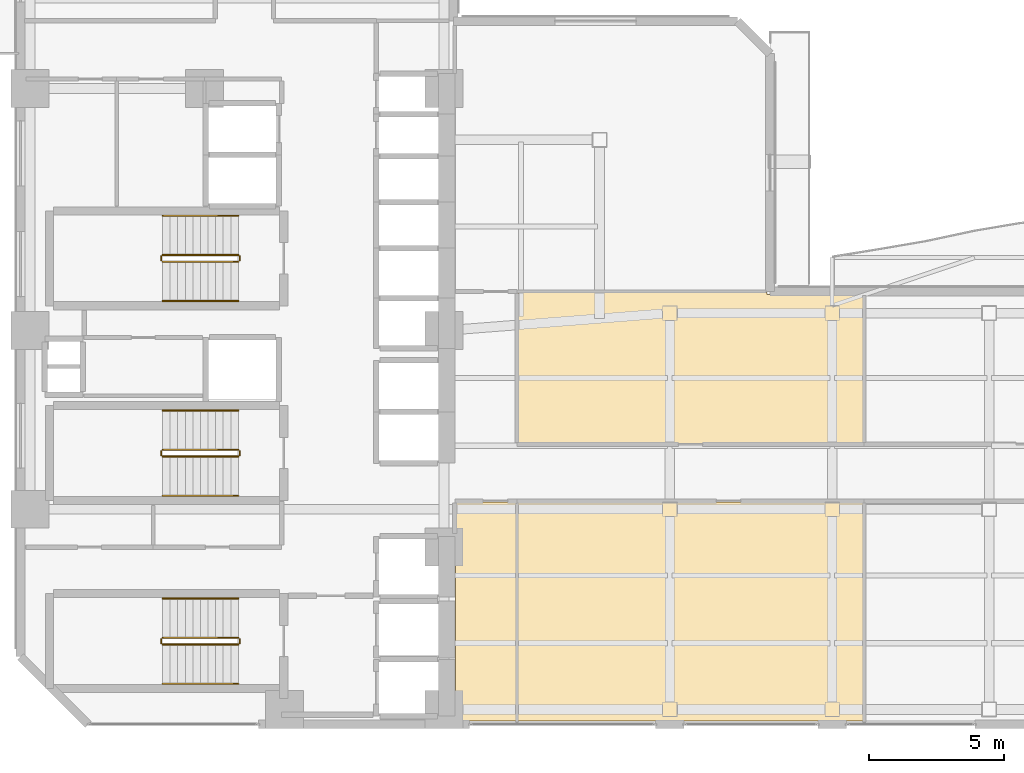
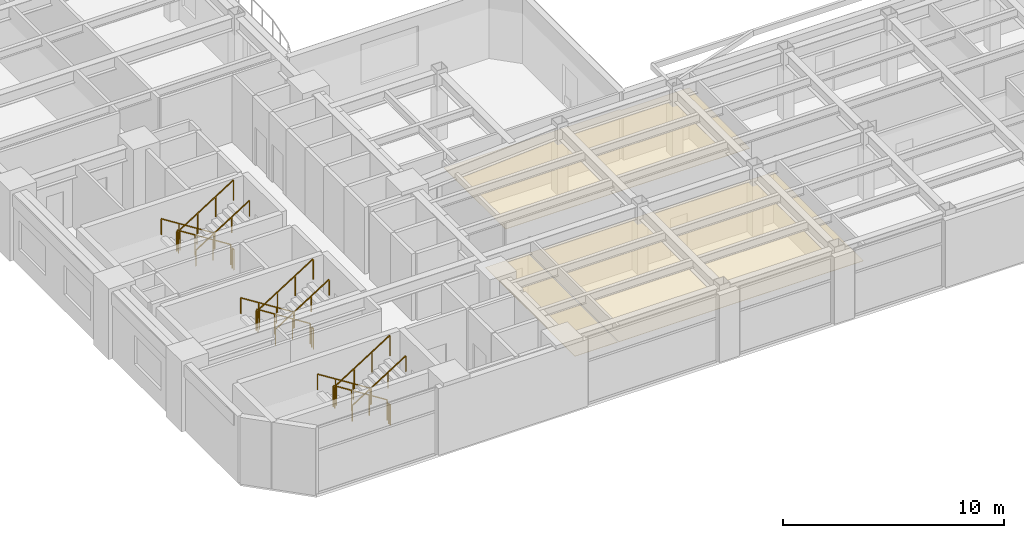
# One storey, part 14 of 17: 18 railings, 3 coverings.
"""IFC4 building model written with IfcOpenShell, lengths in metres."""

from ifc_helpers import new_model, si_unit, direction, frame, origin, origin_2d, place, context, subcontext, project, spatial, polyline, rectangle, outline, extrude, material, layer, layer_set, type_object, element, save


model = new_model("IFC4")

# Units and contexts
model_context = context("Model", 3, precision=1e-05, world=origin(), true_north=direction((0.0, 1.0)))
body_context = subcontext(model_context, "Body", "Model", "MODEL_VIEW")
ifc_project = project(units=[si_unit("LENGTHUNIT", "METRE"), si_unit("AREAUNIT", "SQUARE_METRE"), si_unit("VOLUMEUNIT", "CUBIC_METRE"), si_unit("PLANEANGLEUNIT", "RADIAN"), si_unit("MASSUNIT", "GRAM", prefix="KILO")], contexts=[model_context])

# Site, building, storey
site_placement = place(None, origin())
site = spatial("IfcSite", under=ifc_project, at=site_placement, CompositionType="ELEMENT")
building_placement = place(site_placement, origin())
building = spatial("IfcBuilding", under=site, at=building_placement, Name="Mawjaban Terraces University", CompositionType="ELEMENT")
storey_placement = place(building_placement, frame((0.0, 0.0, 70.0)))
storey = spatial("IfcBuildingStorey", under=building, at=storey_placement, Name="L16", CompositionType="ELEMENT", Elevation=70.0)

# Coverings
ifc_material_1 = material(Name="Acoustic mineral fibre ceiling tile", Category="masonry")
ifc_layer = layer(ifc_material_1, 0.02001953125)
ifc_layer_set = layer_set([ifc_layer], Name="Acoustic mineral fibre ceiling tile")
covering_type = type_object("IfcCoveringType", Name="AcousticMineralCeiling_20", PredefinedType="CEILING", material=ifc_layer_set)
covering_1_placement = place(storey_placement, frame((0.0, 0.0, 2.75)))
element("IfcCovering", 1, at=covering_1_placement, inside=storey, type_object=covering_type, Name="L16 Collaborative Study Room 1 Acoustic Ceiling", PredefinedType="CEILING", context=body_context, shape_type="SweptSolid", body=[
    extrude(outline(polyline([(38.080078125, 0.114990234375), (40.320068359375, 0.114990234375), (40.320068359375, 8.219970703125), (38.080078125, 8.219970703125), (38.080078125, 0.114990234375)])), origin(), (0.0, 0.0, 1.0), 0.02001953125),
])
covering_2_placement = place(storey_placement, frame((0.0, 0.0, 2.75)))
element("IfcCovering", 2, at=covering_2_placement, inside=storey, type_object=covering_type, Name="L16 Graduate Study Lounge 2 Acoustic Ceiling", PredefinedType="CEILING", context=body_context, shape_type="SweptSolid", body=[
    extrude(outline(polyline([(40.3798828125, 0.114990234375), (53.154052734375, 0.114990234375), (53.154052734375, 8.219970703125), (40.3798828125, 8.219970703125), (40.3798828125, 0.114990234375)])), origin(), (0.0, 0.0, 1.0), 0.02001953125),
])
covering_3_placement = place(storey_placement, frame((0.0, 0.0, 2.75)))
element("IfcCovering", 3, at=covering_3_placement, inside=storey, type_object=covering_type, Name="L16 Collaborative Study Room 3 Acoustic Ceiling", PredefinedType="CEILING", context=body_context, shape_type="SweptSolid", body=[
    extrude(outline(polyline([(53.154052734375, 15.885009765625), (49.5849609375, 15.885009765625), (49.5849609375, 15.969970703125), (40.3798828125, 15.969970703125), (40.3798828125, 10.3798828125), (53.154052734375, 10.3798828125), (53.154052734375, 15.885009765625)])), origin(), (0.0, 0.0, 1.0), 0.02001953125),
])

# Railings
ifc_material_2 = material(Name="Brushed stainless steel 316", Category="steel")
railing_type_1 = type_object("IfcRailingType", Name="StairWallHandrail_900", PredefinedType="HANDRAIL", material=ifc_material_2)
railing_1_placement = place(storey_placement, frame((30.050048828125, 4.64990234375, 0.17724609375)))
element("IfcRailing", 4, at=railing_1_placement, inside=storey, type_object=railing_type_1, Name="L16 ST-1 stair handrail 1", PredefinedType="HANDRAIL", context=body_context, shape_type="SweptSolid", body=[
    extrude(rectangle(XDim=0.048095703125, YDim=0.048095703125, at=origin_2d()), frame((0.0, 0.0, 0.8759765625), z_axis=(-0.844908973607, 0.0, 0.534910110503), x_axis=(0.0, -1.0, 0.0)), (0.0, 0.0, 1.0), 3.31396484375),
    extrude(rectangle(XDim=0.0419921875, YDim=0.0419921875, at=origin_2d()), origin(), (0.0, 0.0, 1.0), 0.851806640625),
    extrude(rectangle(XDim=0.0419921875, YDim=0.0419921875, at=origin_2d()), frame((-0.933349609375, 0.0, 0.5908203125)), (0.0, 0.0, 1.0), 0.851806640625),
    extrude(rectangle(XDim=0.0419921875, YDim=0.0419921875, at=origin_2d()), frame((-1.86669921875, 0.0, 1.181884765625)), (0.0, 0.0, 1.0), 0.851806640625),
    extrude(rectangle(XDim=0.0419921875, YDim=0.0419921875, at=origin_2d()), frame((-2.800048828125, 0.0, 1.772705078125)), (0.0, 0.0, 1.0), 0.851806640625),
])
railing_2_placement = place(storey_placement, frame((27.25, 1.5, 2.127197265625)))
element("IfcRailing", 5, at=railing_2_placement, inside=storey, type_object=railing_type_1, Name="L16 ST-1 stair handrail 2", PredefinedType="HANDRAIL", context=body_context, shape_type="SweptSolid", body=[
    extrude(rectangle(XDim=0.048095703125, YDim=0.048095703125, at=origin_2d()), frame((0.0, 0.0, 0.8759765625), z_axis=(0.844908973607, 0.0, 0.534910110503), x_axis=(0.0, 1.0, 0.0)), (0.0, 0.0, 1.0), 3.31396484375),
    extrude(rectangle(XDim=0.0419921875, YDim=0.0419921875, at=origin_2d()), origin(), (0.0, 0.0, 1.0), 0.851806640625),
    extrude(rectangle(XDim=0.0419921875, YDim=0.0419921875, at=origin_2d()), frame((0.933349609375, 0.0, 0.5908203125)), (0.0, 0.0, 1.0), 0.851806640625),
    extrude(rectangle(XDim=0.0419921875, YDim=0.0419921875, at=origin_2d()), frame((1.86669921875, 0.0, 1.181884765625)), (0.0, 0.0, 1.0), 0.851806640625),
    extrude(rectangle(XDim=0.0419921875, YDim=0.0419921875, at=origin_2d()), frame((2.800048828125, 0.0, 1.772705078125)), (0.0, 0.0, 1.0), 0.851806640625),
])
railing_3_placement = place(storey_placement, frame((30.050048828125, 18.800048828125, 0.17724609375)))
element("IfcRailing", 6, at=railing_3_placement, inside=storey, type_object=railing_type_1, Name="L16 ST-2 stair handrail 1", PredefinedType="HANDRAIL", context=body_context, shape_type="SweptSolid", body=[
    extrude(rectangle(XDim=0.048095703125, YDim=0.048095703125, at=origin_2d()), frame((0.0, 0.0, 0.8759765625), z_axis=(-0.844908973607, 0.0, 0.534910110503), x_axis=(0.0, -1.0, 0.0)), (0.0, 0.0, 1.0), 3.31396484375),
    extrude(rectangle(XDim=0.0419921875, YDim=0.0419921875, at=origin_2d()), origin(), (0.0, 0.0, 1.0), 0.851806640625),
    extrude(rectangle(XDim=0.0419921875, YDim=0.0419921875, at=origin_2d()), frame((-0.933349609375, 0.0, 0.5908203125)), (0.0, 0.0, 1.0), 0.851806640625),
    extrude(rectangle(XDim=0.0419921875, YDim=0.0419921875, at=origin_2d()), frame((-1.86669921875, 0.0, 1.181884765625)), (0.0, 0.0, 1.0), 0.851806640625),
    extrude(rectangle(XDim=0.0419921875, YDim=0.0419921875, at=origin_2d()), frame((-2.800048828125, 0.0, 1.772705078125)), (0.0, 0.0, 1.0), 0.851806640625),
])
railing_4_placement = place(storey_placement, frame((27.25, 15.64990234375, 2.127197265625)))
element("IfcRailing", 7, at=railing_4_placement, inside=storey, type_object=railing_type_1, Name="L16 ST-2 stair handrail 2", PredefinedType="HANDRAIL", context=body_context, shape_type="SweptSolid", body=[
    extrude(rectangle(XDim=0.048095703125, YDim=0.048095703125, at=origin_2d()), frame((0.0, 0.0, 0.8759765625), z_axis=(0.844908973607, 0.0, 0.534910110503), x_axis=(0.0, 1.0, 0.0)), (0.0, 0.0, 1.0), 3.31396484375),
    extrude(rectangle(XDim=0.0419921875, YDim=0.0419921875, at=origin_2d()), origin(), (0.0, 0.0, 1.0), 0.851806640625),
    extrude(rectangle(XDim=0.0419921875, YDim=0.0419921875, at=origin_2d()), frame((0.933349609375, 0.0, 0.5908203125)), (0.0, 0.0, 1.0), 0.851806640625),
    extrude(rectangle(XDim=0.0419921875, YDim=0.0419921875, at=origin_2d()), frame((1.86669921875, 0.0, 1.181884765625)), (0.0, 0.0, 1.0), 0.851806640625),
    extrude(rectangle(XDim=0.0419921875, YDim=0.0419921875, at=origin_2d()), frame((2.800048828125, 0.0, 1.772705078125)), (0.0, 0.0, 1.0), 0.851806640625),
])
railing_5_placement = place(storey_placement, frame((30.050048828125, 11.60009765625, 0.17724609375)))
element("IfcRailing", 8, at=railing_5_placement, inside=storey, type_object=railing_type_1, Name="L16 ST-3 stair handrail 1", PredefinedType="HANDRAIL", context=body_context, shape_type="SweptSolid", body=[
    extrude(rectangle(XDim=0.048095703125, YDim=0.048095703125, at=origin_2d()), frame((0.0, 0.0, 0.8759765625), z_axis=(-0.844908973607, 0.0, 0.534910110503), x_axis=(0.0, -1.0, 0.0)), (0.0, 0.0, 1.0), 3.31396484375),
    extrude(rectangle(XDim=0.0419921875, YDim=0.0419921875, at=origin_2d()), origin(), (0.0, 0.0, 1.0), 0.851806640625),
    extrude(rectangle(XDim=0.0419921875, YDim=0.0419921875, at=origin_2d()), frame((-0.933349609375, 0.0, 0.5908203125)), (0.0, 0.0, 1.0), 0.851806640625),
    extrude(rectangle(XDim=0.0419921875, YDim=0.0419921875, at=origin_2d()), frame((-1.86669921875, 0.0, 1.181884765625)), (0.0, 0.0, 1.0), 0.851806640625),
    extrude(rectangle(XDim=0.0419921875, YDim=0.0419921875, at=origin_2d()), frame((-2.800048828125, 0.0, 1.772705078125)), (0.0, 0.0, 1.0), 0.851806640625),
])
railing_6_placement = place(storey_placement, frame((27.25, 8.449951171875, 2.127197265625)))
element("IfcRailing", 9, at=railing_6_placement, inside=storey, type_object=railing_type_1, Name="L16 ST-3 stair handrail 2", PredefinedType="HANDRAIL", context=body_context, shape_type="SweptSolid", body=[
    extrude(rectangle(XDim=0.048095703125, YDim=0.048095703125, at=origin_2d()), frame((0.0, 0.0, 0.8759765625), z_axis=(0.844908973607, 0.0, 0.534910110503), x_axis=(0.0, 1.0, 0.0)), (0.0, 0.0, 1.0), 3.31396484375),
    extrude(rectangle(XDim=0.0419921875, YDim=0.0419921875, at=origin_2d()), origin(), (0.0, 0.0, 1.0), 0.851806640625),
    extrude(rectangle(XDim=0.0419921875, YDim=0.0419921875, at=origin_2d()), frame((0.933349609375, 0.0, 0.5908203125)), (0.0, 0.0, 1.0), 0.851806640625),
    extrude(rectangle(XDim=0.0419921875, YDim=0.0419921875, at=origin_2d()), frame((1.86669921875, 0.0, 1.181884765625)), (0.0, 0.0, 1.0), 0.851806640625),
    extrude(rectangle(XDim=0.0419921875, YDim=0.0419921875, at=origin_2d()), frame((2.800048828125, 0.0, 1.772705078125)), (0.0, 0.0, 1.0), 0.851806640625),
])
ifc_material_3 = material(Name="Galvanised painted steel S355", Category="steel")
railing_type_2 = type_object("IfcRailingType", Name="StairWellGuard_1150", PredefinedType="BALUSTRADE", material=ifc_material_3)
railing_7_placement = place(storey_placement, frame((30.050048828125, 3.199951171875, 0.17724609375)))
element("IfcRailing", 10, at=railing_7_placement, inside=storey, type_object=railing_type_2, Name="L16 ST-1 stair guard 1", PredefinedType="BALUSTRADE", context=body_context, shape_type="SweptSolid", body=[
    extrude(rectangle(XDim=0.048095703125, YDim=0.048095703125, at=origin_2d()), frame((0.0, 0.0, 1.1259765625), z_axis=(-0.844908973607, 0.0, 0.534910110503), x_axis=(0.0, -1.0, 0.0)), (0.0, 0.0, 1.0), 3.31396484375),
    extrude(rectangle(XDim=0.0419921875, YDim=0.0419921875, at=origin_2d()), origin(), (0.0, 0.0, 1.0), 1.101806640625),
    extrude(rectangle(XDim=0.0419921875, YDim=0.0419921875, at=origin_2d()), frame((-0.933349609375, 0.0, 0.5908203125)), (0.0, 0.0, 1.0), 1.101806640625),
    extrude(rectangle(XDim=0.0419921875, YDim=0.0419921875, at=origin_2d()), frame((-1.86669921875, 0.0, 1.181884765625)), (0.0, 0.0, 1.0), 1.101806640625),
    extrude(rectangle(XDim=0.0419921875, YDim=0.0419921875, at=origin_2d()), frame((-2.800048828125, 0.0, 1.772705078125)), (0.0, 0.0, 1.0), 1.101806640625),
])
railing_8_placement = place(storey_placement, frame((27.199951171875, 3.14990234375, 1.949951171875)))
element("IfcRailing", 11, at=railing_8_placement, inside=storey, type_object=railing_type_2, Name="L16 ST-1 stair guard 2", PredefinedType="BALUSTRADE", context=body_context, shape_type="SweptSolid", body=[
    extrude(rectangle(XDim=0.048095703125, YDim=0.048095703125, at=origin_2d()), frame((0.0, 0.0, 1.1259765625), z_axis=(0.0, -1.0, 0.0), x_axis=(1.0, 0.0, 0.0)), (0.0, 0.0, 1.0), 0.14990234375),
    extrude(rectangle(XDim=0.0419921875, YDim=0.0419921875, at=origin_2d()), origin(), (0.0, 0.0, 1.0), 1.101806640625),
    extrude(rectangle(XDim=0.0419921875, YDim=0.0419921875, at=origin_2d()), frame((0.0, -0.14990234375, 0.0)), (0.0, 0.0, 1.0), 1.101806640625),
])
railing_9_placement = place(storey_placement, frame((27.25, 2.949951171875, 2.127197265625)))
element("IfcRailing", 12, at=railing_9_placement, inside=storey, type_object=railing_type_2, Name="L16 ST-1 stair guard 3", PredefinedType="BALUSTRADE", context=body_context, shape_type="SweptSolid", body=[
    extrude(rectangle(XDim=0.048095703125, YDim=0.048095703125, at=origin_2d()), frame((0.0, 0.0, 1.1259765625), z_axis=(0.844908973607, 0.0, 0.534910110503), x_axis=(0.0, 1.0, 0.0)), (0.0, 0.0, 1.0), 3.31396484375),
    extrude(rectangle(XDim=0.0419921875, YDim=0.0419921875, at=origin_2d()), origin(), (0.0, 0.0, 1.0), 1.101806640625),
    extrude(rectangle(XDim=0.0419921875, YDim=0.0419921875, at=origin_2d()), frame((0.933349609375, 0.0, 0.5908203125)), (0.0, 0.0, 1.0), 1.101806640625),
    extrude(rectangle(XDim=0.0419921875, YDim=0.0419921875, at=origin_2d()), frame((1.86669921875, 0.0, 1.181884765625)), (0.0, 0.0, 1.0), 1.101806640625),
    extrude(rectangle(XDim=0.0419921875, YDim=0.0419921875, at=origin_2d()), frame((2.800048828125, 0.0, 1.772705078125)), (0.0, 0.0, 1.0), 1.101806640625),
])
railing_10_placement = place(storey_placement, frame((30.10009765625, 3.14990234375, 0.0)))
element("IfcRailing", 13, at=railing_10_placement, inside=storey, type_object=railing_type_2, Name="L16 ST-1 stair guard 4", PredefinedType="BALUSTRADE", context=body_context, shape_type="SweptSolid", body=[
    extrude(rectangle(XDim=0.048095703125, YDim=0.048095703125, at=origin_2d()), frame((0.0, 0.0, 1.1259765625), z_axis=(0.0, -1.0, 0.0), x_axis=(1.0, 0.0, 0.0)), (0.0, 0.0, 1.0), 0.14990234375),
    extrude(rectangle(XDim=0.0419921875, YDim=0.0419921875, at=origin_2d()), origin(), (0.0, 0.0, 1.0), 1.101806640625),
    extrude(rectangle(XDim=0.0419921875, YDim=0.0419921875, at=origin_2d()), frame((0.0, -0.14990234375, 0.0)), (0.0, 0.0, 1.0), 1.101806640625),
])
railing_11_placement = place(storey_placement, frame((30.050048828125, 17.35009765625, 0.17724609375)))
element("IfcRailing", 14, at=railing_11_placement, inside=storey, type_object=railing_type_2, Name="L16 ST-2 stair guard 1", PredefinedType="BALUSTRADE", context=body_context, shape_type="SweptSolid", body=[
    extrude(rectangle(XDim=0.048095703125, YDim=0.048095703125, at=origin_2d()), frame((0.0, 0.0, 1.1259765625), z_axis=(-0.844908973607, 0.0, 0.534910110503), x_axis=(0.0, -1.0, 0.0)), (0.0, 0.0, 1.0), 3.31396484375),
    extrude(rectangle(XDim=0.0419921875, YDim=0.0419921875, at=origin_2d()), origin(), (0.0, 0.0, 1.0), 1.101806640625),
    extrude(rectangle(XDim=0.0419921875, YDim=0.0419921875, at=origin_2d()), frame((-0.933349609375, 0.0, 0.5908203125)), (0.0, 0.0, 1.0), 1.101806640625),
    extrude(rectangle(XDim=0.0419921875, YDim=0.0419921875, at=origin_2d()), frame((-1.86669921875, 0.0, 1.181884765625)), (0.0, 0.0, 1.0), 1.101806640625),
    extrude(rectangle(XDim=0.0419921875, YDim=0.0419921875, at=origin_2d()), frame((-2.800048828125, 0.0, 1.772705078125)), (0.0, 0.0, 1.0), 1.101806640625),
])
railing_12_placement = place(storey_placement, frame((27.199951171875, 17.300048828125, 1.949951171875)))
element("IfcRailing", 15, at=railing_12_placement, inside=storey, type_object=railing_type_2, Name="L16 ST-2 stair guard 2", PredefinedType="BALUSTRADE", context=body_context, shape_type="SweptSolid", body=[
    extrude(rectangle(XDim=0.048095703125, YDim=0.048095703125, at=origin_2d()), frame((0.0, 0.0, 1.1259765625), z_axis=(0.0, -1.0, 0.0), x_axis=(1.0, 0.0, 0.0)), (0.0, 0.0, 1.0), 0.150146484375),
    extrude(rectangle(XDim=0.0419921875, YDim=0.0419921875, at=origin_2d()), origin(), (0.0, 0.0, 1.0), 1.101806640625),
    extrude(rectangle(XDim=0.0419921875, YDim=0.0419921875, at=origin_2d()), frame((0.0, -0.150146484375, 0.0)), (0.0, 0.0, 1.0), 1.101806640625),
])
railing_13_placement = place(storey_placement, frame((27.25, 17.10009765625, 2.127197265625)))
element("IfcRailing", 16, at=railing_13_placement, inside=storey, type_object=railing_type_2, Name="L16 ST-2 stair guard 3", PredefinedType="BALUSTRADE", context=body_context, shape_type="SweptSolid", body=[
    extrude(rectangle(XDim=0.048095703125, YDim=0.048095703125, at=origin_2d()), frame((0.0, 0.0, 1.1259765625), z_axis=(0.844908973607, 0.0, 0.534910110503), x_axis=(0.0, 1.0, 0.0)), (0.0, 0.0, 1.0), 3.31396484375),
    extrude(rectangle(XDim=0.0419921875, YDim=0.0419921875, at=origin_2d()), origin(), (0.0, 0.0, 1.0), 1.101806640625),
    extrude(rectangle(XDim=0.0419921875, YDim=0.0419921875, at=origin_2d()), frame((0.933349609375, 0.0, 0.5908203125)), (0.0, 0.0, 1.0), 1.101806640625),
    extrude(rectangle(XDim=0.0419921875, YDim=0.0419921875, at=origin_2d()), frame((1.86669921875, 0.0, 1.181884765625)), (0.0, 0.0, 1.0), 1.101806640625),
    extrude(rectangle(XDim=0.0419921875, YDim=0.0419921875, at=origin_2d()), frame((2.800048828125, 0.0, 1.772705078125)), (0.0, 0.0, 1.0), 1.101806640625),
])
railing_14_placement = place(storey_placement, frame((30.10009765625, 17.300048828125, 0.0)))
element("IfcRailing", 17, at=railing_14_placement, inside=storey, type_object=railing_type_2, Name="L16 ST-2 stair guard 4", PredefinedType="BALUSTRADE", context=body_context, shape_type="SweptSolid", body=[
    extrude(rectangle(XDim=0.048095703125, YDim=0.048095703125, at=origin_2d()), frame((0.0, 0.0, 1.1259765625), z_axis=(0.0, -1.0, 0.0), x_axis=(1.0, 0.0, 0.0)), (0.0, 0.0, 1.0), 0.150146484375),
    extrude(rectangle(XDim=0.0419921875, YDim=0.0419921875, at=origin_2d()), origin(), (0.0, 0.0, 1.0), 1.101806640625),
    extrude(rectangle(XDim=0.0419921875, YDim=0.0419921875, at=origin_2d()), frame((0.0, -0.150146484375, 0.0)), (0.0, 0.0, 1.0), 1.101806640625),
])
railing_15_placement = place(storey_placement, frame((30.050048828125, 10.14990234375, 0.17724609375)))
element("IfcRailing", 18, at=railing_15_placement, inside=storey, type_object=railing_type_2, Name="L16 ST-3 stair guard 1", PredefinedType="BALUSTRADE", context=body_context, shape_type="SweptSolid", body=[
    extrude(rectangle(XDim=0.048095703125, YDim=0.048095703125, at=origin_2d()), frame((0.0, 0.0, 1.1259765625), z_axis=(-0.844908973607, 0.0, 0.534910110503), x_axis=(0.0, -1.0, 0.0)), (0.0, 0.0, 1.0), 3.31396484375),
    extrude(rectangle(XDim=0.0419921875, YDim=0.0419921875, at=origin_2d()), origin(), (0.0, 0.0, 1.0), 1.101806640625),
    extrude(rectangle(XDim=0.0419921875, YDim=0.0419921875, at=origin_2d()), frame((-0.933349609375, 0.0, 0.5908203125)), (0.0, 0.0, 1.0), 1.101806640625),
    extrude(rectangle(XDim=0.0419921875, YDim=0.0419921875, at=origin_2d()), frame((-1.86669921875, 0.0, 1.181884765625)), (0.0, 0.0, 1.0), 1.101806640625),
    extrude(rectangle(XDim=0.0419921875, YDim=0.0419921875, at=origin_2d()), frame((-2.800048828125, 0.0, 1.772705078125)), (0.0, 0.0, 1.0), 1.101806640625),
])
railing_16_placement = place(storey_placement, frame((27.199951171875, 10.10009765625, 1.949951171875)))
element("IfcRailing", 19, at=railing_16_placement, inside=storey, type_object=railing_type_2, Name="L16 ST-3 stair guard 2", PredefinedType="BALUSTRADE", context=body_context, shape_type="SweptSolid", body=[
    extrude(rectangle(XDim=0.048095703125, YDim=0.048095703125, at=origin_2d()), frame((0.0, 0.0, 1.1259765625), z_axis=(0.0, -1.0, 0.0), x_axis=(1.0, 0.0, 0.0)), (0.0, 0.0, 1.0), 0.150146484375),
    extrude(rectangle(XDim=0.0419921875, YDim=0.0419921875, at=origin_2d()), origin(), (0.0, 0.0, 1.0), 1.101806640625),
    extrude(rectangle(XDim=0.0419921875, YDim=0.0419921875, at=origin_2d()), frame((0.0, -0.150146484375, 0.0)), (0.0, 0.0, 1.0), 1.101806640625),
])
railing_17_placement = place(storey_placement, frame((27.25, 9.89990234375, 2.127197265625)))
element("IfcRailing", 20, at=railing_17_placement, inside=storey, type_object=railing_type_2, Name="L16 ST-3 stair guard 3", PredefinedType="BALUSTRADE", context=body_context, shape_type="SweptSolid", body=[
    extrude(rectangle(XDim=0.048095703125, YDim=0.048095703125, at=origin_2d()), frame((0.0, 0.0, 1.1259765625), z_axis=(0.844908973607, 0.0, 0.534910110503), x_axis=(0.0, 1.0, 0.0)), (0.0, 0.0, 1.0), 3.31396484375),
    extrude(rectangle(XDim=0.0419921875, YDim=0.0419921875, at=origin_2d()), origin(), (0.0, 0.0, 1.0), 1.101806640625),
    extrude(rectangle(XDim=0.0419921875, YDim=0.0419921875, at=origin_2d()), frame((0.933349609375, 0.0, 0.5908203125)), (0.0, 0.0, 1.0), 1.101806640625),
    extrude(rectangle(XDim=0.0419921875, YDim=0.0419921875, at=origin_2d()), frame((1.86669921875, 0.0, 1.181884765625)), (0.0, 0.0, 1.0), 1.101806640625),
    extrude(rectangle(XDim=0.0419921875, YDim=0.0419921875, at=origin_2d()), frame((2.800048828125, 0.0, 1.772705078125)), (0.0, 0.0, 1.0), 1.101806640625),
])
railing_18_placement = place(storey_placement, frame((30.10009765625, 10.10009765625, 0.0)))
element("IfcRailing", 21, at=railing_18_placement, inside=storey, type_object=railing_type_2, Name="L16 ST-3 stair guard 4", PredefinedType="BALUSTRADE", context=body_context, shape_type="SweptSolid", body=[
    extrude(rectangle(XDim=0.048095703125, YDim=0.048095703125, at=origin_2d()), frame((0.0, 0.0, 1.1259765625), z_axis=(0.0, -1.0, 0.0), x_axis=(1.0, 0.0, 0.0)), (0.0, 0.0, 1.0), 0.150146484375),
    extrude(rectangle(XDim=0.0419921875, YDim=0.0419921875, at=origin_2d()), origin(), (0.0, 0.0, 1.0), 1.101806640625),
    extrude(rectangle(XDim=0.0419921875, YDim=0.0419921875, at=origin_2d()), frame((0.0, -0.150146484375, 0.0)), (0.0, 0.0, 1.0), 1.101806640625),
])

save(model, "model.ifc")
